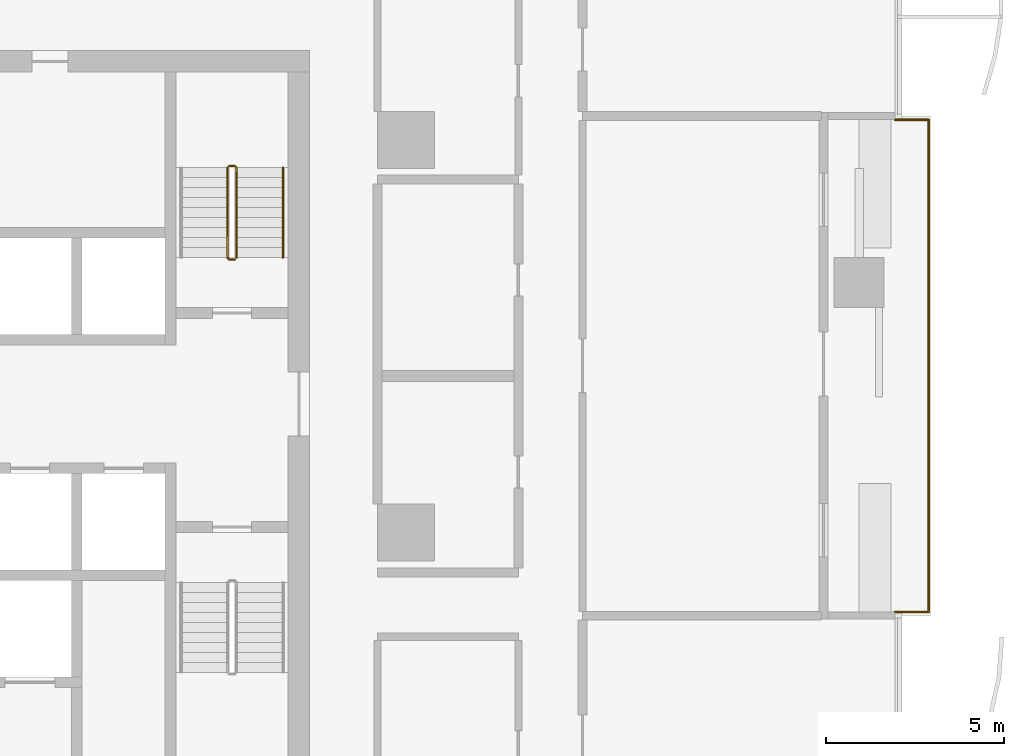
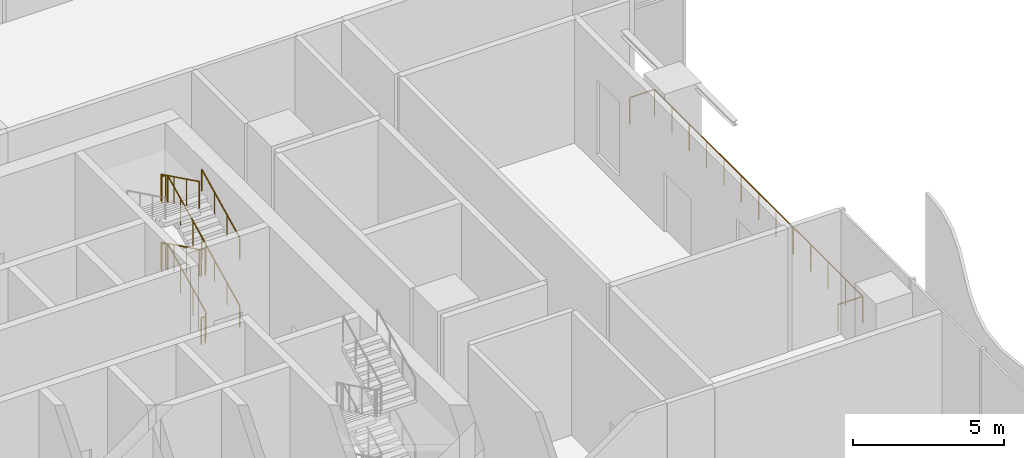
# One storey, part 19 of 20: 8 railings.
"""IFC4 building model written with IfcOpenShell, lengths in metres."""

from ifc_helpers import new_model, si_unit, direction, frame, origin, origin_2d, place, context, subcontext, project, spatial, circle, extrude, material, type_object, element, save


model = new_model("IFC4")

# Units and contexts
model_context = context("Model", 3, precision=1e-05, world=origin(), true_north=direction((0.0, 1.0)))
body_context = subcontext(model_context, "Body", "Model", "MODEL_VIEW")
ifc_project = project(units=[si_unit("LENGTHUNIT", "METRE"), si_unit("AREAUNIT", "SQUARE_METRE"), si_unit("VOLUMEUNIT", "CUBIC_METRE"), si_unit("PLANEANGLEUNIT", "RADIAN"), si_unit("MASSUNIT", "GRAM", prefix="KILO")], contexts=[model_context])

# Site, building, storey
site_placement = place(None, origin())
site = spatial("IfcSite", under=ifc_project, at=site_placement, CompositionType="ELEMENT")
building_placement = place(site_placement, origin())
building = spatial("IfcBuilding", under=site, at=building_placement, Name="Mopane Tessera Tower", CompositionType="ELEMENT")
storey_placement = place(building_placement, frame((0.0, 0.0, 14.5)))
storey = spatial("IfcBuildingStorey", under=building, at=storey_placement, Name="L02", CompositionType="ELEMENT", Elevation=14.5)

# Railings
ifc_material_1 = material(Name="Powder-coated steel balustrade", Category="steel")
railing_type_1 = type_object("IfcRailingType", Name="Escape stair guard 1100 mm", PredefinedType="GUARDRAIL", material=ifc_material_1)
railing_1_placement = place(storey_placement, frame((12.35009765625, 7.699951171875, 0.137451171875)))
element("IfcRailing", 1, at=railing_1_placement, inside=storey, type_object=railing_type_1, Name="L02 ST4 stair guard 1", PredefinedType="GUARDRAIL", context=body_context, shape_type="SweptSolid", body=[
    extrude(circle(Radius=0.02392578125, at=origin_2d()), frame((0.0, 0.0, 1.076171875), z_axis=(0.0, 0.897604431175, 0.440801866075), x_axis=(-1.0, 0.0, 0.0)), (0.0, 0.0, 1.0), 2.807373046875),
    extrude(circle(Radius=0.02392578125, at=origin_2d()), frame((0.0, 2.52001953125, 2.3134765625), z_axis=(-0.707106781187, 0.707106781187, 0.0), x_axis=(-0.707106781187, -0.707106781187, 0.0)), (0.0, 0.0, 1.0), 0.07080078125),
    extrude(circle(Radius=0.02392578125, at=origin_2d()), frame((-0.050048828125, 2.570068359375, 2.3134765625), z_axis=(-1.0, 0.0, 0.0), x_axis=(0.0, -1.0, 0.0)), (0.0, 0.0, 1.0), 0.150146484375),
    extrude(circle(Radius=0.02099609375, at=origin_2d()), origin(), (0.0, 0.0, 1.0), 1.052001953125),
    extrude(circle(Radius=0.02099609375, at=origin_2d()), frame((0.0, 0.840087890625, 0.41259765625)), (0.0, 0.0, 1.0), 1.052001953125),
    extrude(circle(Radius=0.02099609375, at=origin_2d()), frame((0.0, 1.679931640625, 0.824951171875)), (0.0, 0.0, 1.0), 1.052001953125),
    extrude(circle(Radius=0.02099609375, at=origin_2d()), frame((0.0, 2.52001953125, 1.237548828125)), (0.0, 0.0, 1.0), 1.052001953125),
    extrude(circle(Radius=0.02099609375, at=origin_2d()), frame((-0.050048828125, 2.570068359375, 1.237548828125)), (0.0, 0.0, 1.0), 1.052001953125),
    extrude(circle(Radius=0.02099609375, at=origin_2d()), frame((-0.2001953125, 2.570068359375, 1.237548828125)), (0.0, 0.0, 1.0), 1.052001953125),
])
railing_2_placement = place(storey_placement, frame((12.10009765625, 10.219970703125, 1.512451171875)))
element("IfcRailing", 2, at=railing_2_placement, inside=storey, type_object=railing_type_1, Name="L02 ST4 stair guard 2", PredefinedType="GUARDRAIL", context=body_context, shape_type="SweptSolid", body=[
    extrude(circle(Radius=0.02392578125, at=origin_2d()), frame((0.0, 0.0, 1.076171875), z_axis=(0.0, -0.897604431175, 0.440801866075), x_axis=(1.0, 0.0, 0.0)), (0.0, 0.0, 1.0), 2.807373046875),
    extrude(circle(Radius=0.02392578125, at=origin_2d()), frame((0.0, -2.52001953125, 2.3134765625), z_axis=(0.705375805398, -0.708833529934, 0.0), x_axis=(0.708833529934, 0.705375805398, 0.0)), (0.0, 0.0, 1.0), 0.070556640625),
    extrude(circle(Radius=0.02392578125, at=origin_2d()), frame((0.0498046875, -2.570068359375, 2.3134765625), z_axis=(1.0, 0.0, 0.0), x_axis=(0.0, 1.0, 0.0)), (0.0, 0.0, 1.0), 0.150146484375),
    extrude(circle(Radius=0.02099609375, at=origin_2d()), origin(), (0.0, 0.0, 1.0), 1.052001953125),
    extrude(circle(Radius=0.02099609375, at=origin_2d()), frame((0.0, -0.840087890625, 0.41259765625)), (0.0, 0.0, 1.0), 1.052001953125),
    extrude(circle(Radius=0.02099609375, at=origin_2d()), frame((0.0, -1.679931640625, 0.824951171875)), (0.0, 0.0, 1.0), 1.052001953125),
    extrude(circle(Radius=0.02099609375, at=origin_2d()), frame((0.0, -2.52001953125, 1.237548828125)), (0.0, 0.0, 1.0), 1.052001953125),
    extrude(circle(Radius=0.02099609375, at=origin_2d()), frame((0.0498046875, -2.570068359375, 1.237548828125)), (0.0, 0.0, 1.0), 1.052001953125),
    extrude(circle(Radius=0.02099609375, at=origin_2d()), frame((0.199951171875, -2.570068359375, 1.237548828125)), (0.0, 0.0, 1.0), 1.052001953125),
])
railing_3_placement = place(storey_placement, frame((12.35009765625, 7.699951171875, 2.887451171875)))
element("IfcRailing", 3, at=railing_3_placement, inside=storey, type_object=railing_type_1, Name="L02 ST4 stair guard 3", PredefinedType="GUARDRAIL", context=body_context, shape_type="SweptSolid", body=[
    extrude(circle(Radius=0.02392578125, at=origin_2d()), frame((0.0, 0.0, 1.076171875), z_axis=(0.0, 0.897604431175, 0.440801866075), x_axis=(-1.0, 0.0, 0.0)), (0.0, 0.0, 1.0), 2.807373046875),
    extrude(circle(Radius=0.02392578125, at=origin_2d()), frame((0.0, 2.52001953125, 2.3134765625), z_axis=(-0.707106781187, 0.707106781187, 0.0), x_axis=(-0.707106781187, -0.707106781187, 0.0)), (0.0, 0.0, 1.0), 0.07080078125),
    extrude(circle(Radius=0.02392578125, at=origin_2d()), frame((-0.050048828125, 2.570068359375, 2.3134765625), z_axis=(-1.0, 0.0, 0.0), x_axis=(0.0, -1.0, 0.0)), (0.0, 0.0, 1.0), 0.150146484375),
    extrude(circle(Radius=0.02099609375, at=origin_2d()), origin(), (0.0, 0.0, 1.0), 1.052001953125),
    extrude(circle(Radius=0.02099609375, at=origin_2d()), frame((0.0, 0.840087890625, 0.41259765625)), (0.0, 0.0, 1.0), 1.052001953125),
    extrude(circle(Radius=0.02099609375, at=origin_2d()), frame((0.0, 1.679931640625, 0.824951171875)), (0.0, 0.0, 1.0), 1.052001953125),
    extrude(circle(Radius=0.02099609375, at=origin_2d()), frame((0.0, 2.52001953125, 1.237548828125)), (0.0, 0.0, 1.0), 1.052001953125),
    extrude(circle(Radius=0.02099609375, at=origin_2d()), frame((-0.050048828125, 2.570068359375, 1.237548828125)), (0.0, 0.0, 1.0), 1.052001953125),
    extrude(circle(Radius=0.02099609375, at=origin_2d()), frame((-0.2001953125, 2.570068359375, 1.237548828125)), (0.0, 0.0, 1.0), 1.052001953125),
])
railing_4_placement = place(storey_placement, frame((12.10009765625, 10.219970703125, 4.262451171875)))
element("IfcRailing", 4, at=railing_4_placement, inside=storey, type_object=railing_type_1, Name="L02 ST4 stair guard 4", PredefinedType="GUARDRAIL", context=body_context, shape_type="SweptSolid", body=[
    extrude(circle(Radius=0.02392578125, at=origin_2d()), frame((0.0, 0.0, 1.076171875), z_axis=(0.0, -0.897604431175, 0.440801866075), x_axis=(1.0, 0.0, 0.0)), (0.0, 0.0, 1.0), 2.807373046875),
    extrude(circle(Radius=0.02099609375, at=origin_2d()), origin(), (0.0, 0.0, 1.0), 1.052001953125),
    extrude(circle(Radius=0.02099609375, at=origin_2d()), frame((0.0, -0.840087890625, 0.41259765625)), (0.0, 0.0, 1.0), 1.052001953125),
    extrude(circle(Radius=0.02099609375, at=origin_2d()), frame((0.0, -1.679931640625, 0.824951171875)), (0.0, 0.0, 1.0), 1.052001953125),
    extrude(circle(Radius=0.02099609375, at=origin_2d()), frame((0.0, -2.52001953125, 1.237548828125)), (0.0, 0.0, 1.0), 1.052001953125),
])
railing_5_placement = place(storey_placement, frame((12.300048828125, 7.64990234375, 0.0)))
element("IfcRailing", 5, at=railing_5_placement, inside=storey, type_object=railing_type_1, Name="L02 ST4 stair guard 5", PredefinedType="GUARDRAIL", context=body_context, shape_type="SweptSolid", body=[
    extrude(circle(Radius=0.02392578125, at=origin_2d()), frame((0.0, 0.0, 1.076171875), z_axis=(-1.0, 0.0, 0.0), x_axis=(0.0, -1.0, 0.0)), (0.0, 0.0, 1.0), 0.150146484375),
    extrude(circle(Radius=0.02099609375, at=origin_2d()), origin(), (0.0, 0.0, 1.0), 1.052001953125),
    extrude(circle(Radius=0.02099609375, at=origin_2d()), frame((-0.150146484375, 0.0, 0.0)), (0.0, 0.0, 1.0), 1.052001953125),
])
ifc_material_2 = material(Name="Powder-coated steel balustrade", Category="steel")
railing_type_2 = type_object("IfcRailingType", Name="Escape stair handrail 900 mm", PredefinedType="HANDRAIL", material=ifc_material_2)
for number, where, name in (
    (6, (13.64990234375, 7.699951171875, 0.137451171875), "L02 ST4 stair handrail 1"),
    (7, (13.64990234375, 7.699951171875, 2.887451171875), "L02 ST4 stair handrail 3"),
):
    element("IfcRailing", number, at=place(storey_placement, frame(where)), inside=storey, type_object=railing_type_2, Name=name, PredefinedType="HANDRAIL", context=body_context, shape_type="SweptSolid", body=[
        extrude(circle(Radius=0.02392578125, at=origin_2d()), frame((0.0, 0.0, 0.8759765625), z_axis=(0.0, 0.897604431175, 0.440801866075), x_axis=(-1.0, 0.0, 0.0)), (0.0, 0.0, 1.0), 2.807373046875),
        extrude(circle(Radius=0.02099609375, at=origin_2d()), origin(), (0.0, 0.0, 1.0), 0.851806640625),
        extrude(circle(Radius=0.02099609375, at=origin_2d()), frame((0.0, 0.840087890625, 0.41259765625)), (0.0, 0.0, 1.0), 0.851806640625),
        extrude(circle(Radius=0.02099609375, at=origin_2d()), frame((0.0, 1.679931640625, 0.824951171875)), (0.0, 0.0, 1.0), 0.851806640625),
        extrude(circle(Radius=0.02099609375, at=origin_2d()), frame((0.0, 2.52001953125, 1.237548828125)), (0.0, 0.0, 1.0), 0.851806640625),
    ])
ifc_material_3 = material(Name="Stainless steel S316", Category="steel")
railing_type_3 = type_object("IfcRailingType", Name="Terrace guard 1100", PredefinedType="GUARDRAIL", material=ifc_material_3)
railing_6_placement = place(storey_placement, frame((30.800048828125, -2.2333984375, 0.0)))
element("IfcRailing", 8, at=railing_6_placement, inside=storey, type_object=railing_type_3, Name="e:nw:L02:N2:guard", PredefinedType="GUARDRAIL", context=body_context, shape_type="SweptSolid", body=[
    extrude(circle(Radius=0.02392578125, at=origin_2d()), frame((0.0, 0.0, 1.076171875), z_axis=(1.0, 0.0, 0.0), x_axis=(0.0, 1.0, 0.0)), (0.0, 0.0, 1.0), 0.949951171875),
    extrude(circle(Radius=0.02392578125, at=origin_2d()), frame((0.949951171875, 0.0, 1.076171875), z_axis=(0.0, 1.0, 0.0), x_axis=(-1.0, 0.0, 0.0)), (0.0, 0.0, 1.0), 13.800048828125),
    extrude(circle(Radius=0.02392578125, at=origin_2d()), frame((0.949951171875, 13.800048828125, 1.076171875), z_axis=(-1.0, 0.0, 0.0), x_axis=(0.0, -1.0, 0.0)), (0.0, 0.0, 1.0), 0.949951171875),
    extrude(circle(Radius=0.02099609375, at=origin_2d()), origin(), (0.0, 0.0, 1.0), 1.052001953125),
    extrude(circle(Radius=0.02099609375, at=origin_2d()), frame((0.949951171875, 0.0, 0.0)), (0.0, 0.0, 1.0), 1.052001953125),
    extrude(circle(Radius=0.02099609375, at=origin_2d()), frame((0.949951171875, 1.14990234375, 0.0)), (0.0, 0.0, 1.0), 1.052001953125),
    extrude(circle(Radius=0.02099609375, at=origin_2d()), frame((0.949951171875, 2.300048828125, 0.0)), (0.0, 0.0, 1.0), 1.052001953125),
    extrude(circle(Radius=0.02099609375, at=origin_2d()), frame((0.949951171875, 3.449951171875, 0.0)), (0.0, 0.0, 1.0), 1.052001953125),
    extrude(circle(Radius=0.02099609375, at=origin_2d()), frame((0.949951171875, 4.60009765625, 0.0)), (0.0, 0.0, 1.0), 1.052001953125),
    extrude(circle(Radius=0.02099609375, at=origin_2d()), frame((0.949951171875, 5.75, 0.0)), (0.0, 0.0, 1.0), 1.052001953125),
    extrude(circle(Radius=0.02099609375, at=origin_2d()), frame((0.949951171875, 6.89990234375, 0.0)), (0.0, 0.0, 1.0), 1.052001953125),
    extrude(circle(Radius=0.02099609375, at=origin_2d()), frame((0.949951171875, 8.050048828125, 0.0)), (0.0, 0.0, 1.0), 1.052001953125),
    extrude(circle(Radius=0.02099609375, at=origin_2d()), frame((0.949951171875, 9.199951171875, 0.0)), (0.0, 0.0, 1.0), 1.052001953125),
    extrude(circle(Radius=0.02099609375, at=origin_2d()), frame((0.949951171875, 10.35009765625, 0.0)), (0.0, 0.0, 1.0), 1.052001953125),
    extrude(circle(Radius=0.02099609375, at=origin_2d()), frame((0.949951171875, 11.5, 0.0)), (0.0, 0.0, 1.0), 1.052001953125),
    extrude(circle(Radius=0.02099609375, at=origin_2d()), frame((0.949951171875, 12.650146484375, 0.0)), (0.0, 0.0, 1.0), 1.052001953125),
    extrude(circle(Radius=0.02099609375, at=origin_2d()), frame((0.949951171875, 13.800048828125, 0.0)), (0.0, 0.0, 1.0), 1.052001953125),
    extrude(circle(Radius=0.02099609375, at=origin_2d()), frame((0.0, 13.800048828125, 0.0)), (0.0, 0.0, 1.0), 1.052001953125),
])

save(model, "model.ifc")
